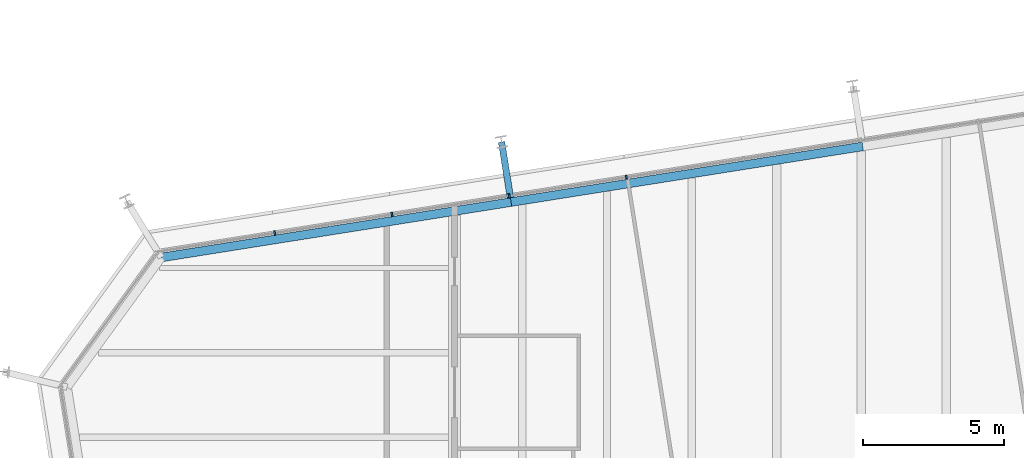
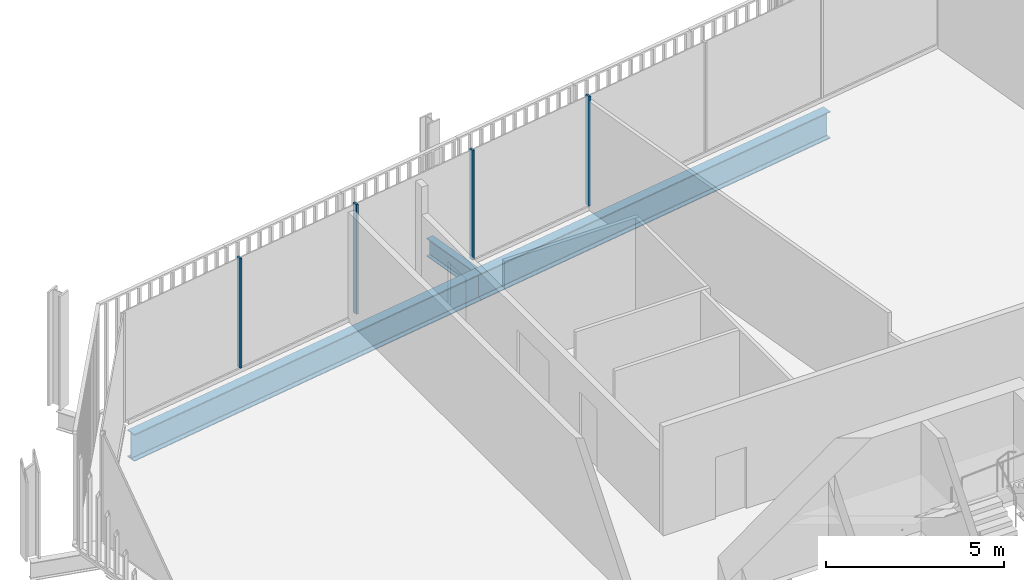
# One storey, part 12 of 20: 4 members, 3 beams, 1 element without a shape of its own.
"""IFC4 building model written with IfcOpenShell, lengths in metres."""

from ifc_helpers import new_model, si_unit, direction, frame, origin, origin_2d, place, context, subcontext, project, spatial, rectangle, i_section, extrude, material, layer, layer_set, material_profile, profile_set, type_object, element, aggregate, save


model = new_model("IFC4")

# Units and contexts
model_context = context("Model", 3, precision=1e-05, world=origin(), true_north=direction((0.0, 1.0)))
body_context = subcontext(model_context, "Body", "Model", "MODEL_VIEW")
ifc_project = project(units=[si_unit("LENGTHUNIT", "METRE"), si_unit("AREAUNIT", "SQUARE_METRE"), si_unit("VOLUMEUNIT", "CUBIC_METRE"), si_unit("PLANEANGLEUNIT", "RADIAN"), si_unit("MASSUNIT", "GRAM", prefix="KILO")], contexts=[model_context])

# Site, building, storey
site_placement = place(None, origin())
site = spatial("IfcSite", under=ifc_project, at=site_placement, CompositionType="ELEMENT")
building_placement = place(site_placement, origin())
building = spatial("IfcBuilding", under=site, at=building_placement, Name="Millrace Tower", CompositionType="ELEMENT")
storey_placement = place(building_placement, frame((0.0, 0.0, 232.0)))
storey = spatial("IfcBuildingStorey", under=building, at=storey_placement, Name="L53", CompositionType="ELEMENT", Elevation=232.0)

# Curtain wall, members
ifc_material_1 = material(Name="Aluminium and glass", Category="aluminium")
ifc_layer = layer(ifc_material_1, 0.14990234375)
ifc_layer_set = layer_set([ifc_layer], Name="Aluminium and glass")
curtain_wall_type = type_object("IfcCurtainWallType", Name="CW-1 office vision curtain wall", PredefinedType="NOTDEFINED", material=ifc_layer_set)
curtain_wall_placement = place(storey_placement, origin())
curtain_wall = element("IfcCurtainWall", 1, at=curtain_wall_placement, inside=storey, type_object=curtain_wall_type, Name="Curtain wall D-F06 L53", PredefinedType="NOTDEFINED")
ifc_material_2 = material(Name="Aluminium", Category="aluminium")
ifc_material_profile_1 = material_profile(ifc_material_2, rectangle(XDim=0.06494140625, YDim=0.14990234375, at=origin_2d()))
ifc_profile_set_1 = profile_set([ifc_material_profile_1], Name="Aluminium")
member_type = type_object("IfcMemberType", Name="CW-1 office vision curtain wall mullion", PredefinedType="MULLION", material=ifc_profile_set_1)
member_1_placement = place(storey_placement, frame((-8.31591796875, 27.207275390625, 0.139892578125), z_axis=(0.0, 0.0, 1.0), x_axis=(-0.987688339511, -0.156434471884, 0.0)))
member_1 = element("IfcMember", 2, at=member_1_placement, type_object=member_type, Name="CW1 mullion D-F06.6", PredefinedType="MULLION", context=body_context, shape_type="SweptSolid", body=[
    extrude(rectangle(XDim=0.06494140625, YDim=0.14990234375, at=origin_2d()), origin(), (0.0, 0.0, 1.0), 3.760009765625),
])
member_2_placement = place(storey_placement, frame((-12.46435546875, 26.55029296875, 0.139892578125), z_axis=(0.0, 0.0, 1.0), x_axis=(-0.987688339511, -0.156434471884, 0.0)))
member_2 = element("IfcMember", 3, at=member_2_placement, type_object=member_type, Name="CW1 mullion D-F06.7", PredefinedType="MULLION", context=body_context, shape_type="SweptSolid", body=[
    extrude(rectangle(XDim=0.06494140625, YDim=0.14990234375, at=origin_2d()), origin(), (0.0, 0.0, 1.0), 3.760009765625),
])
member_3_placement = place(storey_placement, frame((-16.612548828125, 25.893310546875, 0.139892578125), z_axis=(0.0, 0.0, 1.0), x_axis=(-0.987688339511, -0.156434471884, 0.0)))
member_3 = element("IfcMember", 4, at=member_3_placement, type_object=member_type, Name="CW1 mullion D-F06.8", PredefinedType="MULLION", context=body_context, shape_type="SweptSolid", body=[
    extrude(rectangle(XDim=0.06494140625, YDim=0.14990234375, at=origin_2d()), origin(), (0.0, 0.0, 1.0), 3.760009765625),
])
member_4_placement = place(storey_placement, frame((-20.7607421875, 25.236328125, 0.139892578125), z_axis=(0.0, 0.0, 1.0), x_axis=(-0.987688339511, -0.156434471884, 0.0)))
member_4 = element("IfcMember", 5, at=member_4_placement, type_object=member_type, Name="CW1 mullion D-F06.9", PredefinedType="MULLION", context=body_context, shape_type="SweptSolid", body=[
    extrude(rectangle(XDim=0.06494140625, YDim=0.14990234375, at=origin_2d()), origin(), (0.0, 0.0, 1.0), 3.760009765625),
])
aggregate(curtain_wall, [member_1, member_2, member_3, member_4])

# Beams
ifc_material_3 = material(Name="Steel ASTM A992 Grade 50", Category="steel")
ifc_material_profile_2 = material_profile(ifc_material_3, i_section(OverallWidth=0.23046875, OverallDepth=0.6171875, WebThickness=0.01318359375, FlangeThickness=0.022216796875, FilletRadius=0.012939453125, at=origin_2d()))
ifc_profile_set_2 = profile_set([ifc_material_profile_2], Name="Steel ASTM A992 Grade 50")
beam_type_1 = type_object("IfcBeamType", Name="Link beam W24x94", PredefinedType="BEAM", material=ifc_profile_set_2)
beam_1_placement = place(storey_placement, frame((-12.42041015625, 26.481201171875, -0.468505859375), z_axis=(-0.156476509441, 0.987681680499, 0.0), x_axis=(-0.987681680499, -0.156476509441, 0.0)))
element("IfcBeam", 6, at=beam_1_placement, inside=storey, type_object=beam_type_1, Name="LNK-D-L53-S1-06", PredefinedType="BEAM", context=body_context, shape_type="SweptSolid", body=[
    extrude(i_section(OverallWidth=0.23046875, OverallDepth=0.6171875, WebThickness=0.01318359375, FlangeThickness=0.022216796875, FilletRadius=0.012939453125, at=origin_2d()), origin(), (0.0, 0.0, 1.0), 2.000244140625),
])
ifc_material_4 = material(Name="Steel ASTM A992 Grade 50", Category="steel")
ifc_material_profile_3 = material_profile(ifc_material_4, i_section(OverallWidth=0.307373046875, OverallDepth=0.927001953125, WebThickness=0.01953125, FlangeThickness=0.031982421875, FilletRadius=0.01904296875, at=origin_2d()))
ifc_profile_set_3 = profile_set([ifc_material_profile_3], Name="Steel ASTM A992 Grade 50")
beam_type_2 = type_object("IfcBeamType", Name="Ring beam medium span W36x194", PredefinedType="SPANDREL", material=ifc_profile_set_3)
beam_2_placement = place(storey_placement, frame((-24.7783203125, 24.368408203125, -0.62353515625), z_axis=(0.987687213011, 0.156441584157, 0.0), x_axis=(-0.156441584157, 0.987687213011, 0.0)))
element("IfcBeam", 7, at=beam_2_placement, inside=storey, type_object=beam_type_2, Name="RNG-D-L53-S1-05", PredefinedType="SPANDREL", context=body_context, shape_type="SweptSolid", body=[
    extrude(i_section(OverallWidth=0.307373046875, OverallDepth=0.927001953125, WebThickness=0.01953125, FlangeThickness=0.031982421875, FilletRadius=0.01904296875, at=origin_2d()), origin(), (0.0, 0.0, 1.0), 12.5361328125),
])
beam_3_placement = place(storey_placement, frame((-12.396484375, 26.32958984375, -0.62353515625), z_axis=(0.987690277015, 0.156422238477, 0.0), x_axis=(-0.156422238477, 0.987690277015, 0.0)))
element("IfcBeam", 8, at=beam_3_placement, inside=storey, type_object=beam_type_2, Name="RNG-D-L53-S1-06", PredefinedType="SPANDREL", context=body_context, shape_type="SweptSolid", body=[
    extrude(i_section(OverallWidth=0.307373046875, OverallDepth=0.927001953125, WebThickness=0.01953125, FlangeThickness=0.031982421875, FilletRadius=0.01904296875, at=origin_2d()), origin(), (0.0, 0.0, 1.0), 12.60009765625),
])

save(model, "model.ifc")
